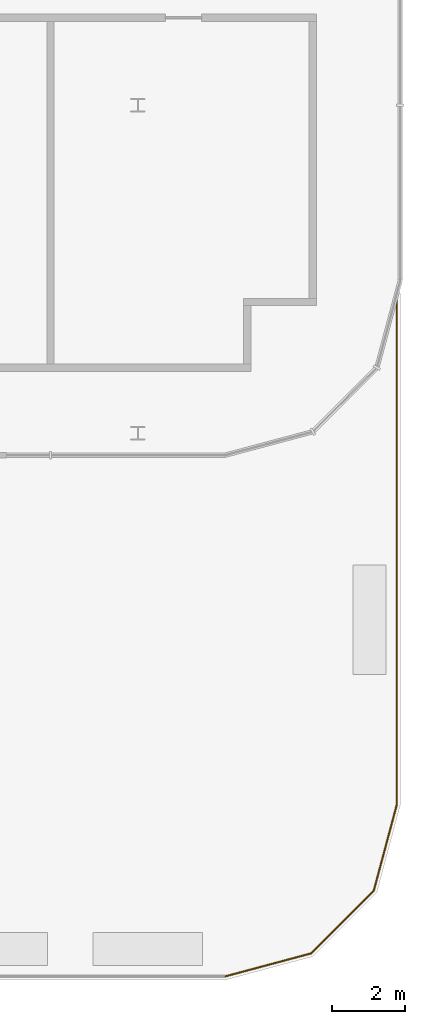
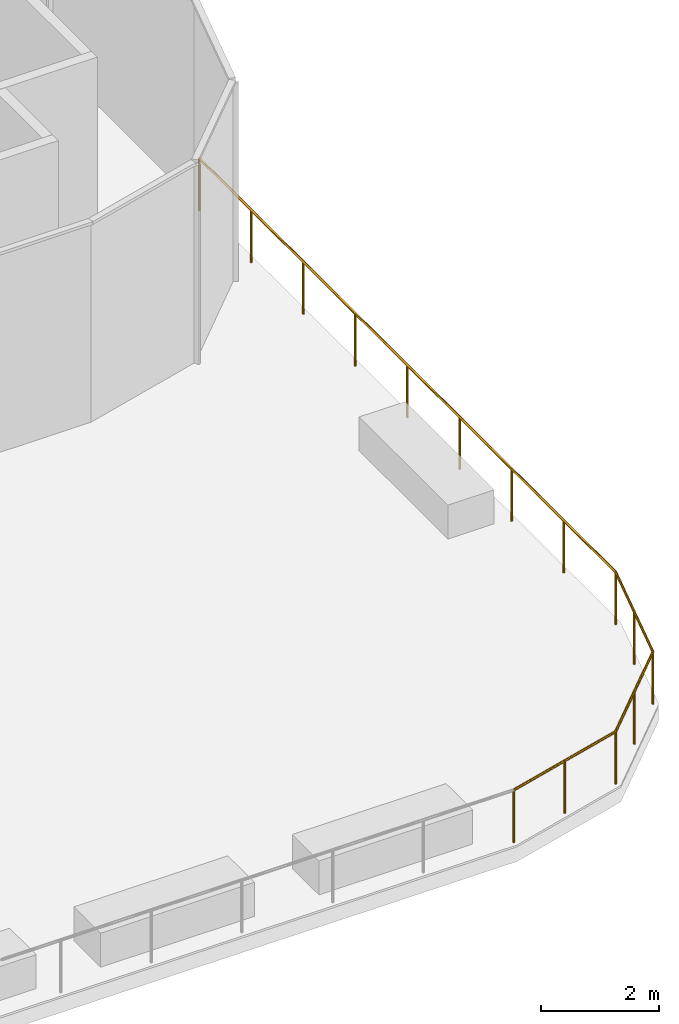
# One storey, part 41 of 45: 1 railing.
"""IFC4 building model written with IfcOpenShell, lengths in metres."""

from ifc_helpers import new_model, si_unit, direction, frame, origin, origin_2d, place, context, subcontext, project, spatial, circle, extrude, material, type_object, element, save


model = new_model("IFC4")

# Units and contexts
model_context = context("Model", 3, precision=1e-05, world=origin(), true_north=direction((0.0, 1.0)))
body_context = subcontext(model_context, "Body", "Model", "MODEL_VIEW")
ifc_project = project(units=[si_unit("LENGTHUNIT", "METRE"), si_unit("AREAUNIT", "SQUARE_METRE"), si_unit("VOLUMEUNIT", "CUBIC_METRE"), si_unit("PLANEANGLEUNIT", "RADIAN"), si_unit("MASSUNIT", "GRAM", prefix="KILO")], contexts=[model_context])

# Site, building, storey
site_placement = place(None, origin())
site = spatial("IfcSite", under=ifc_project, at=site_placement, CompositionType="ELEMENT")
building_placement = place(site_placement, origin())
building = spatial("IfcBuilding", under=site, at=building_placement, Name="Madar Terraces", CompositionType="ELEMENT")
storey_placement = place(building_placement, frame((0.0, 0.0, 6.0)))
storey = spatial("IfcBuildingStorey", under=building, at=storey_placement, Name="L01", CompositionType="ELEMENT", Elevation=6.0)

# Railing
ifc_material = material(Name="Glass, safety glazing, with stainless steel posts", Category="steel")
railing_type = type_object("IfcRailingType", Name="Balcony glass guard 1100", PredefinedType="GUARDRAIL", material=ifc_material)
railing_placement = place(storey_placement, frame((64.800048828125, -52.699951171875, 0.0400390625)))
element("IfcRailing", 1, at=railing_placement, inside=storey, type_object=railing_type, Name="Terrace guard", PredefinedType="GUARDRAIL", context=body_context, shape_type="SweptSolid", body=[
    extrude(circle(Radius=0.02392578125, at=origin_2d()), frame((0.0, 0.0, 1.076171875), z_axis=(0.965926101694, 0.258818017275, 0.0), x_axis=(-0.258818017275, 0.965926101694, 0.0)), (0.0, 0.0, 1.0), 2.432861328125),
    extrude(circle(Radius=0.02392578125, at=origin_2d()), frame((2.349853515625, 0.629638671875, 1.076171875), z_axis=(0.707156953733, 0.70705660508, 0.0), x_axis=(-0.70705660508, 0.707156953733, 0.0)), (0.0, 0.0, 1.0), 2.432861328125),
    extrude(circle(Radius=0.02392578125, at=origin_2d()), frame((4.0703125, 2.349853515625, 1.076171875), z_axis=(0.258792930722, 0.965932823238, 0.0), x_axis=(-0.965932823238, 0.258792930722, 0.0)), (0.0, 0.0, 1.0), 2.432861328125),
    extrude(circle(Radius=0.02392578125, at=origin_2d()), frame((4.699951171875, 4.699951171875, 1.076171875), z_axis=(0.0, 1.0, 0.0), x_axis=(-1.0, 0.0, 0.0)), (0.0, 0.0, 1.0), 14.069091796875),
    extrude(circle(Radius=0.02099609375, at=origin_2d()), origin(), (0.0, 0.0, 1.0), 1.052001953125),
    extrude(circle(Radius=0.02099609375, at=origin_2d()), frame((1.1748046875, 0.31494140625, 0.0)), (0.0, 0.0, 1.0), 1.052001953125),
    extrude(circle(Radius=0.02099609375, at=origin_2d()), frame((2.349853515625, 0.629638671875, 0.0)), (0.0, 0.0, 1.0), 1.052001953125),
    extrude(circle(Radius=0.02099609375, at=origin_2d()), frame((3.2099609375, 1.48974609375, 0.0)), (0.0, 0.0, 1.0), 1.052001953125),
    extrude(circle(Radius=0.02099609375, at=origin_2d()), frame((4.0703125, 2.349853515625, 0.0)), (0.0, 0.0, 1.0), 1.052001953125),
    extrude(circle(Radius=0.02099609375, at=origin_2d()), frame((4.38525390625, 3.52490234375, 0.0)), (0.0, 0.0, 1.0), 1.052001953125),
    extrude(circle(Radius=0.02099609375, at=origin_2d()), frame((4.699951171875, 4.699951171875, 0.0)), (0.0, 0.0, 1.0), 1.052001953125),
    extrude(circle(Radius=0.02099609375, at=origin_2d()), frame((4.699951171875, 6.45849609375, 0.0)), (0.0, 0.0, 1.0), 1.052001953125),
    extrude(circle(Radius=0.02099609375, at=origin_2d()), frame((4.699951171875, 8.21728515625, 0.0)), (0.0, 0.0, 1.0), 1.052001953125),
    extrude(circle(Radius=0.02099609375, at=origin_2d()), frame((4.699951171875, 9.975830078125, 0.0)), (0.0, 0.0, 1.0), 1.052001953125),
    extrude(circle(Radius=0.02099609375, at=origin_2d()), frame((4.699951171875, 11.734375, 0.0)), (0.0, 0.0, 1.0), 1.052001953125),
    extrude(circle(Radius=0.02099609375, at=origin_2d()), frame((4.699951171875, 13.4931640625, 0.0)), (0.0, 0.0, 1.0), 1.052001953125),
    extrude(circle(Radius=0.02099609375, at=origin_2d()), frame((4.699951171875, 15.251708984375, 0.0)), (0.0, 0.0, 1.0), 1.052001953125),
    extrude(circle(Radius=0.02099609375, at=origin_2d()), frame((4.699951171875, 17.010498046875, 0.0)), (0.0, 0.0, 1.0), 1.052001953125),
    extrude(circle(Radius=0.02099609375, at=origin_2d()), frame((4.699951171875, 18.76904296875, 0.0)), (0.0, 0.0, 1.0), 1.052001953125),
])

save(model, "model.ifc")
